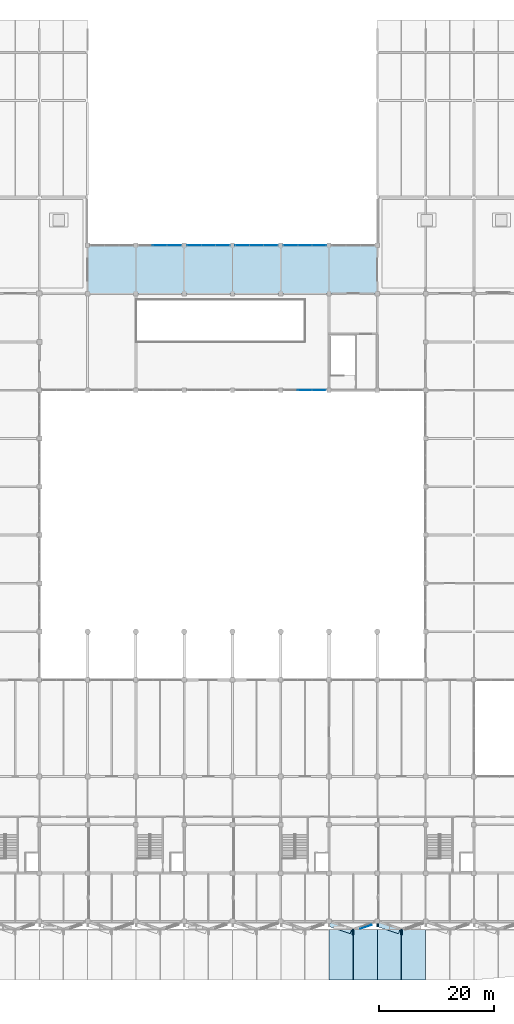
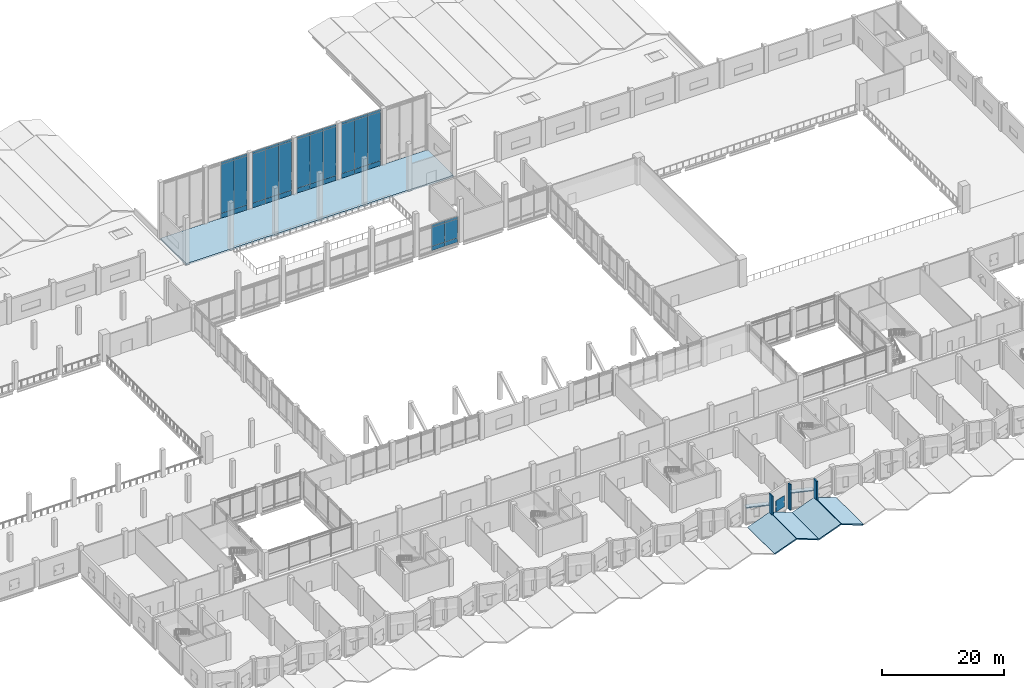
# One storey, part 40 of 72: 45 plates, 5 slabs, 5 elements without a shape of their own.
"""IFC4 building model written with IfcOpenShell, lengths in metres."""

from ifc_helpers import new_model, si_unit, direction, frame, frame_2d, origin, place, context, subcontext, project, spatial, polyline, rectangle, outline, extrude, material, layer, layer_set, type_object, element, aggregate, save


model = new_model("IFC4")

# Units and contexts
model_context = context("Model", 3, precision=1e-05, world=origin(), true_north=direction((0.0, 1.0)))
body_context = subcontext(model_context, "Body", "Model", "MODEL_VIEW")
ifc_project = project(units=[si_unit("LENGTHUNIT", "METRE"), si_unit("AREAUNIT", "SQUARE_METRE"), si_unit("VOLUMEUNIT", "CUBIC_METRE"), si_unit("PLANEANGLEUNIT", "RADIAN"), si_unit("MASSUNIT", "GRAM", prefix="KILO")], contexts=[model_context])

# Site, building, storey
site_placement = place(None, origin())
site = spatial("IfcSite", under=ifc_project, at=site_placement, CompositionType="ELEMENT")
building_placement = place(site_placement, origin())
building = spatial("IfcBuilding", under=site, at=building_placement, Name="Qawsi Khor Wholesale Market", CompositionType="ELEMENT")
storey_placement = place(building_placement, frame((0.0, 0.0, 6.0)))
storey = spatial("IfcBuildingStorey", under=building, at=storey_placement, Name="L01", CompositionType="ELEMENT", Elevation=6.0)

# Slabs
ifc_material_1 = material(Name="Concrete C40/50", Category="concrete")
ifc_layer_1 = layer(ifc_material_1, 0.22998046875, Name="Concrete C40/50")
ifc_layer_set_1 = layer_set([ifc_layer_1], Name="Concrete C40/50")
slab_type_1 = type_object("IfcSlabType", Name="Folded Concrete Canopy Slab 230 C40/50", PredefinedType="ROOF", material=ifc_layer_set_1)
slab_1_placement = place(storey_placement, frame((126.0, -10.199951171875, -0.14990234375), z_axis=(-0.353429429104, 0.0, 0.935461190346), x_axis=(0.935461190346, 0.0, 0.353429429104)))
element("IfcSlab", 1, at=slab_1_placement, inside=storey, type_object=slab_type_1, Name="Boulevard Origami Canopy Facet 15A", PredefinedType="ROOF", context=body_context, shape_type="SweptSolid", body=[
    extrude(outline(polyline([(0.0, 0.0), (4.441690729402894, 0.0), (4.441690729402894, 8.75), (0.0, 8.75), (0.0, 0.0)])), origin(), (0.0, 0.0, -1.0), 0.22998046875),
])
slab_2_placement = place(storey_placement, frame((130.2451171875, -10.199951171875, 1.419921875), z_axis=(0.353447602704, 0.0, 0.935454323921), x_axis=(0.935454323921, 0.0, -0.353447602704)))
element("IfcSlab", 2, at=slab_2_placement, inside=storey, type_object=slab_type_1, Name="Boulevard Origami Canopy Facet 15B", PredefinedType="ROOF", context=body_context, shape_type="SweptSolid", body=[
    extrude(outline(polyline([(0.0, 0.0), (4.441462346161384, 0.0), (4.441462346161384, 8.750000000000002), (0.0, 8.750000000000002), (0.0, 0.0)])), origin(), (0.0, 0.0, -1.0), 0.22998046875),
])
for number, where, z_axis, x_axis, name in (
    (3, (134.39990234375, -10.199951171875, -0.14990234375), (-0.353429429104, 0.0, 0.935461190346), (0.935461190346, 0.0, 0.353429429104), "Boulevard Origami Canopy Facet 16A"),
    (4, (138.64501953125, -10.199951171875, 1.419921875), (0.353429429104, 0.0, 0.935461190346), (0.935461190346, 0.0, -0.353429429104), "Boulevard Origami Canopy Facet 16B"),
):
    element("IfcSlab", number, at=place(storey_placement, frame(where, z_axis=z_axis, x_axis=x_axis)), inside=storey, type_object=slab_type_1, Name=name, PredefinedType="ROOF", context=body_context, shape_type="SweptSolid", body=[
        extrude(outline(polyline([(0.0, 0.0), (4.441690729402894, 0.0), (4.441690729402894, 8.75), (0.0, 8.75), (0.0, 0.0)])), origin(), (0.0, 0.0, -1.0), 0.22998046875),
    ])
ifc_layer_2 = layer(ifc_material_1, 0.330078125, Name="Concrete C40/50")
ifc_layer_set_2 = layer_set([ifc_layer_2], Name="Concrete C40/50")
slab_type_2 = type_object("IfcSlabType", Name="Heavy Lab & Auction Slab 330 C40/50", PredefinedType="FLOOR", material=ifc_layer_set_2)
slab_3_placement = place(storey_placement, frame((0.0, 0.0, -0.330078125)))
element("IfcSlab", 5, at=slab_3_placement, inside=storey, type_object=slab_type_2, Name="SLB-L01-AUC-N", PredefinedType="FLOOR", context=body_context, shape_type="SweptSolid", body=[
    extrude(outline(polyline([(84.0, 117.60009765625), (134.39990234375, 117.60009765625), (134.39990234375, 109.199951171875), (84.0, 109.199951171875), (84.0, 117.60009765625)])), origin(), (0.0, 0.0, 1.0), 0.330078125),
])

# Curtain wall, plates
ifc_material_2 = material(Name="Aluminium Anodised Bronze", Category="aluminium")
ifc_layer_3 = layer(ifc_material_2, 0.219970703125, Name="Aluminium Anodised Bronze")
ifc_layer_set_3 = layer_set([ifc_layer_3], Name="Aluminium Anodised Bronze")
curtain_wall_type = type_object("IfcCurtainWallType", Name="Auction Clerestory Curtain Wall CW-04", PredefinedType="NOTDEFINED", material=ifc_layer_set_3)
curtain_wall_1_placement = place(storey_placement, origin())
curtain_wall_1 = element("IfcCurtainWall", 6, at=curtain_wall_1_placement, inside=storey, type_object=curtain_wall_type, Name="Curtain wall CW-CW-04-L01-104", PredefinedType="NOTDEFINED")
ifc_material_3 = material(Name="Anodised Aluminium Spandrel", Category="aluminium")
ifc_layer_4 = layer(ifc_material_3, 0.0849609375, Name="Anodised Aluminium Spandrel")
ifc_layer_set_4 = layer_set([ifc_layer_4], Name="Anodised Aluminium Spandrel")
plate_type_1 = type_object("IfcPlateType", Name="Insulated Spandrel Panel CW-04 85mm", PredefinedType="CURTAIN_PANEL", material=ifc_layer_set_4)
plate_1_placement = place(storey_placement, frame((95.36669921875, 117.60009765625, 0.0048828125), z_axis=(0.0, 0.0, 1.0), x_axis=(1.0, 0.0, 0.0)))
plate_1 = element("IfcPlate", 7, at=plate_1_placement, type_object=plate_type_1, Name="Curtain panel CW-CW-04-L01-104-P0_01", PredefinedType="CURTAIN_PANEL", context=body_context, shape_type="SweptSolid", body=[
    extrude(rectangle(XDim=2.466552734375, YDim=0.0849609375, at=frame_2d((1.2333984375, 0.0))), origin(), (0.0, 0.0, 1.0), 0.940185546875),
])
plate_2_placement = place(storey_placement, frame((97.833251953125, 117.60009765625, 0.0048828125), z_axis=(0.0, 0.0, 1.0), x_axis=(1.0, 0.0, 0.0)))
plate_2 = element("IfcPlate", 8, at=plate_2_placement, type_object=plate_type_1, Name="Curtain panel CW-CW-04-L01-104-P0_02", PredefinedType="CURTAIN_PANEL", context=body_context, shape_type="SweptSolid", body=[
    extrude(rectangle(XDim=2.466796875, YDim=0.0849609375, at=frame_2d((1.2333984375, 0.0))), origin(), (0.0, 0.0, 1.0), 0.940185546875),
])

curtain_wall_2_placement = place(storey_placement, origin())
curtain_wall_2 = element("IfcCurtainWall", 9, at=curtain_wall_2_placement, inside=storey, type_object=curtain_wall_type, Name="Curtain wall CW-CW-04-L01-107", PredefinedType="NOTDEFINED")
plate_3_placement = place(storey_placement, frame((101.300048828125, 117.60009765625, 0.0048828125), z_axis=(0.0, 0.0, 1.0), x_axis=(1.0, 0.0, 0.0)))
plate_3 = element("IfcPlate", 10, at=plate_3_placement, type_object=plate_type_1, Name="Curtain panel CW-CW-04-L01-107-P0_00", PredefinedType="CURTAIN_PANEL", context=body_context, shape_type="SweptSolid", body=[
    extrude(rectangle(XDim=2.466552734375, YDim=0.0849609375, at=frame_2d((1.2333984375, 0.0))), origin(), (0.0, 0.0, 1.0), 0.940185546875),
])
plate_4_placement = place(storey_placement, frame((103.7666015625, 117.60009765625, 0.0048828125), z_axis=(0.0, 0.0, 1.0), x_axis=(1.0, 0.0, 0.0)))
plate_4 = element("IfcPlate", 11, at=plate_4_placement, type_object=plate_type_1, Name="Curtain panel CW-CW-04-L01-107-P0_01", PredefinedType="CURTAIN_PANEL", context=body_context, shape_type="SweptSolid", body=[
    extrude(rectangle(XDim=2.466796875, YDim=0.0849609375, at=frame_2d((1.2333984375, 0.0))), origin(), (0.0, 0.0, 1.0), 0.940185546875),
])
plate_5_placement = place(storey_placement, frame((106.2333984375, 117.60009765625, 0.0048828125), z_axis=(0.0, 0.0, 1.0), x_axis=(1.0, 0.0, 0.0)))
plate_5 = element("IfcPlate", 12, at=plate_5_placement, type_object=plate_type_1, Name="Curtain panel CW-CW-04-L01-107-P0_02", PredefinedType="CURTAIN_PANEL", context=body_context, shape_type="SweptSolid", body=[
    extrude(rectangle(XDim=2.466552734375, YDim=0.0849609375, at=frame_2d((1.2333984375, 0.0))), origin(), (0.0, 0.0, 1.0), 0.940185546875),
])

curtain_wall_3_placement = place(storey_placement, origin())
curtain_wall_3 = element("IfcCurtainWall", 13, at=curtain_wall_3_placement, inside=storey, type_object=curtain_wall_type, Name="Curtain wall CW-CW-04-L01-110", PredefinedType="NOTDEFINED")
plate_6_placement = place(storey_placement, frame((109.699951171875, 117.60009765625, 0.0048828125), z_axis=(0.0, 0.0, 1.0), x_axis=(1.0, 0.0, 0.0)))
plate_6 = element("IfcPlate", 14, at=plate_6_placement, type_object=plate_type_1, Name="Curtain panel CW-CW-04-L01-110-P0_00", PredefinedType="CURTAIN_PANEL", context=body_context, shape_type="SweptSolid", body=[
    extrude(rectangle(XDim=2.466796875, YDim=0.0849609375, at=frame_2d((1.2333984375, 0.0))), origin(), (0.0, 0.0, 1.0), 0.940185546875),
])
plate_7_placement = place(storey_placement, frame((112.166748046875, 117.60009765625, 0.0048828125), z_axis=(0.0, 0.0, 1.0), x_axis=(1.0, 0.0, 0.0)))
plate_7 = element("IfcPlate", 15, at=plate_7_placement, type_object=plate_type_1, Name="Curtain panel CW-CW-04-L01-110-P0_01", PredefinedType="CURTAIN_PANEL", context=body_context, shape_type="SweptSolid", body=[
    extrude(rectangle(XDim=2.466552734375, YDim=0.0849609375, at=frame_2d((1.2333984375, 0.0))), origin(), (0.0, 0.0, 1.0), 0.940185546875),
])
plate_8_placement = place(storey_placement, frame((114.63330078125, 117.60009765625, 0.0048828125), z_axis=(0.0, 0.0, 1.0), x_axis=(1.0, 0.0, 0.0)))
plate_8 = element("IfcPlate", 16, at=plate_8_placement, type_object=plate_type_1, Name="Curtain panel CW-CW-04-L01-110-P0_02", PredefinedType="CURTAIN_PANEL", context=body_context, shape_type="SweptSolid", body=[
    extrude(rectangle(XDim=2.466796875, YDim=0.0849609375, at=frame_2d((1.2333984375, 0.0))), origin(), (0.0, 0.0, 1.0), 0.940185546875),
])

curtain_wall_4_placement = place(storey_placement, origin())
curtain_wall_4 = element("IfcCurtainWall", 17, at=curtain_wall_4_placement, inside=storey, type_object=curtain_wall_type, Name="Curtain wall CW-CW-04-L01-112", PredefinedType="NOTDEFINED")
plate_9_placement = place(storey_placement, frame((120.583251953125, 92.39990234375, 0.0048828125), z_axis=(0.0, 0.0, 1.0), x_axis=(1.0, 0.0, 0.0)))
plate_9 = element("IfcPlate", 18, at=plate_9_placement, type_object=plate_type_1, Name="Curtain panel CW-CW-04-L01-112-P0_01", PredefinedType="CURTAIN_PANEL", context=body_context, shape_type="SweptSolid", body=[
    extrude(rectangle(XDim=2.433349609375, YDim=0.0849609375, at=frame_2d((1.216796875, 0.0))), origin(), (0.0, 0.0, 1.0), 0.840087890625),
])
plate_10_placement = place(storey_placement, frame((123.0166015625, 92.39990234375, 0.0048828125), z_axis=(0.0, 0.0, 1.0), x_axis=(1.0, 0.0, 0.0)))
plate_10 = element("IfcPlate", 19, at=plate_10_placement, type_object=plate_type_1, Name="Curtain panel CW-CW-04-L01-112-P0_02", PredefinedType="CURTAIN_PANEL", context=body_context, shape_type="SweptSolid", body=[
    extrude(rectangle(XDim=2.433349609375, YDim=0.0849609375, at=frame_2d((1.216796875, 0.0))), origin(), (0.0, 0.0, 1.0), 0.840087890625),
])

curtain_wall_5_placement = place(storey_placement, origin())
curtain_wall_5 = element("IfcCurtainWall", 20, at=curtain_wall_5_placement, inside=storey, type_object=curtain_wall_type, Name="Curtain wall CW-CW-04-L01-113", PredefinedType="NOTDEFINED")
plate_11_placement = place(storey_placement, frame((118.10009765625, 117.60009765625, 0.0048828125), z_axis=(0.0, 0.0, 1.0), x_axis=(1.0, 0.0, 0.0)))
plate_11 = element("IfcPlate", 21, at=plate_11_placement, type_object=plate_type_1, Name="Curtain panel CW-CW-04-L01-113-P0_00", PredefinedType="CURTAIN_PANEL", context=body_context, shape_type="SweptSolid", body=[
    extrude(rectangle(XDim=2.466552734375, YDim=0.0849609375, at=frame_2d((1.2333984375, 0.0))), origin(), (0.0, 0.0, 1.0), 0.940185546875),
])
plate_12_placement = place(storey_placement, frame((120.566650390625, 117.60009765625, 0.0048828125), z_axis=(0.0, 0.0, 1.0), x_axis=(1.0, 0.0, 0.0)))
plate_12 = element("IfcPlate", 22, at=plate_12_placement, type_object=plate_type_1, Name="Curtain panel CW-CW-04-L01-113-P0_01", PredefinedType="CURTAIN_PANEL", context=body_context, shape_type="SweptSolid", body=[
    extrude(rectangle(XDim=2.466552734375, YDim=0.0849609375, at=frame_2d((1.2333984375, 0.0))), origin(), (0.0, 0.0, 1.0), 0.940185546875),
])
plate_13_placement = place(storey_placement, frame((123.033203125, 117.60009765625, 0.0048828125), z_axis=(0.0, 0.0, 1.0), x_axis=(1.0, 0.0, 0.0)))
plate_13 = element("IfcPlate", 23, at=plate_13_placement, type_object=plate_type_1, Name="Curtain panel CW-CW-04-L01-113-P0_02", PredefinedType="CURTAIN_PANEL", context=body_context, shape_type="SweptSolid", body=[
    extrude(rectangle(XDim=2.466796875, YDim=0.0849609375, at=frame_2d((1.2333984375, 0.0))), origin(), (0.0, 0.0, 1.0), 0.940185546875),
])

# Plates
ifc_material_4 = material(Name="Perforated Bronze-Anodised Aluminium", Category="aluminium")
ifc_layer_5 = layer(ifc_material_4, 0.014892578125, Name="Perforated Bronze-Anodised Aluminium")
ifc_layer_set_5 = layer_set([ifc_layer_5], Name="Perforated Bronze-Anodised Aluminium")
plate_type_2 = type_object("IfcPlateType", Name="Perforated Bronze Mashrabiya Screen 15mm", PredefinedType="SHEET", material=ifc_layer_set_5)
plate_14_placement = place(storey_placement, frame((133.38671875, -0.63818359375, 0.85009765625), z_axis=(0.0, 0.0, 1.0), x_axis=(-0.948683298051, -0.316227766017, 0.0)))
element("IfcPlate", 24, at=plate_14_placement, inside=storey, type_object=plate_type_2, Name="Solar mashrabiya screen 013", PredefinedType="SHEET", context=body_context, shape_type="SweptSolid", body=[
    extrude(rectangle(XDim=2.099853515625, YDim=0.014892578125, at=frame_2d((1.0498046875, 0.0))), origin(), (0.0, 0.0, 1.0), 2.25),
])
ifc_layer_6 = layer(ifc_material_1, 0.260009765625, Name="Concrete C40/50")
ifc_layer_set_6 = layer_set([ifc_layer_6], Name="Concrete C40/50")
plate_type_3 = type_object("IfcPlateType", Name="Sculpted Concrete Solar Buttress Fin 260", PredefinedType="SHEET", material=ifc_layer_set_6)
plate_15_placement = place(storey_placement, frame((130.199951171875, -2.35009765625, 0.0), z_axis=(0.0, 0.0, 1.0), x_axis=(0.0, 1.0, 0.0)))
element("IfcPlate", 25, at=plate_15_placement, inside=storey, type_object=plate_type_3, Name="Boulevard concrete solar buttress fin L01-25", PredefinedType="SHEET", context=body_context, shape_type="SweptSolid", body=[
    extrude(rectangle(XDim=1.0, YDim=0.260009765625, at=frame_2d((0.5, 0.0))), origin(), (0.0, 0.0, 1.0), 5.1201171875),
])
plate_16_placement = place(storey_placement, frame((134.39990234375, -0.949951171875, 0.0), z_axis=(0.0, 0.0, 1.0), x_axis=(0.0, 1.0, 0.0)))
element("IfcPlate", 26, at=plate_16_placement, inside=storey, type_object=plate_type_3, Name="Boulevard concrete solar buttress fin L01-26", PredefinedType="SHEET", context=body_context, shape_type="SweptSolid", body=[
    extrude(rectangle(XDim=0.570068359375, YDim=0.260009765625, at=frame_2d((0.28515625, 0.0))), origin(), (0.0, 0.0, 1.0), 5.1201171875),
])
plate_17_placement = place(storey_placement, frame((138.60009765625, -2.35009765625, 0.0), z_axis=(0.0, 0.0, 1.0), x_axis=(0.0, 1.0, 0.0)))
element("IfcPlate", 27, at=plate_17_placement, inside=storey, type_object=plate_type_3, Name="Boulevard concrete solar buttress fin L01-27", PredefinedType="SHEET", context=body_context, shape_type="SweptSolid", body=[
    extrude(rectangle(XDim=1.0, YDim=0.260009765625, at=frame_2d((0.5, 0.0))), origin(), (0.0, 0.0, 1.0), 5.1201171875),
])
ifc_layer_7 = layer(ifc_material_1, 0.949951171875, Name="Concrete C40/50")
ifc_layer_set_7 = layer_set([ifc_layer_7], Name="Concrete C40/50")
plate_type_4 = type_object("IfcPlateType", Name="Sculpted Concrete Sun-Hood Canopy 950", PredefinedType="SHEET", material=ifc_layer_set_7)
for number, where, z_axis, x_axis, name in (
    (28, (126.110595703125, -0.45849609375, 3.25), (0.0, 0.0, 1.0), (0.94867708111, -0.316246416226, 0.0), "Sculpted concrete sun-hood L01-25"),
    (29, (134.5107421875, -0.45849609375, 3.25), (0.0, 0.0, 1.0), (0.94867708111, -0.316246416226, 0.0), "Sculpted concrete sun-hood L01-27"),
):
    element("IfcPlate", number, at=place(storey_placement, frame(where, z_axis=z_axis, x_axis=x_axis)), inside=storey, type_object=plate_type_4, Name=name, PredefinedType="SHEET", context=body_context, shape_type="SweptSolid", body=[
        extrude(rectangle(XDim=3.92724609375, YDim=0.949951171875, at=frame_2d((1.963623046875, 0.0))), origin(), (0.0, 0.0, 1.0), 0.18994140625),
    ])

# Plate
ifc_material_5 = material(Name="Tempered Low-E Solar Glass", Category="glass")
ifc_layer_8 = layer(ifc_material_5, 0.050048828125, Name="Tempered Low-E Solar Glass")
ifc_layer_set_8 = layer_set([ifc_layer_8], Name="Tempered Low-E Solar Glass")
plate_type_5 = type_object("IfcPlateType", Name="Solar Double-Glazed Unit CW-04 50mm", PredefinedType="CURTAIN_PANEL", material=ifc_layer_set_8)
plate_18_placement = place(storey_placement, frame((95.36669921875, 117.60009765625, 0.955078125), z_axis=(0.0, 0.0, 1.0), x_axis=(1.0, 0.0, 0.0)))
plate_18 = element("IfcPlate", 30, at=plate_18_placement, type_object=plate_type_5, Name="Curtain panel CW-CW-04-L01-104-P1_01", PredefinedType="CURTAIN_PANEL", context=body_context, shape_type="SweptSolid", body=[
    extrude(rectangle(XDim=2.466552734375, YDim=0.050048828125, at=frame_2d((1.2333984375, 0.0))), origin(), (0.0, 0.0, 1.0), 9.7900390625),
])

plate_19_placement = place(storey_placement, frame((97.833251953125, 117.60009765625, 0.955078125), z_axis=(0.0, 0.0, 1.0), x_axis=(1.0, 0.0, 0.0)))
plate_19 = element("IfcPlate", 31, at=plate_19_placement, type_object=plate_type_5, Name="Curtain panel CW-CW-04-L01-104-P1_02", PredefinedType="CURTAIN_PANEL", context=body_context, shape_type="SweptSolid", body=[
    extrude(rectangle(XDim=2.466796875, YDim=0.050048828125, at=frame_2d((1.2333984375, 0.0))), origin(), (0.0, 0.0, 1.0), 9.7900390625),
])

plate_20_placement = place(storey_placement, frame((95.36669921875, 117.60009765625, 10.7548828125), z_axis=(0.0, 0.0, 1.0), x_axis=(1.0, 0.0, 0.0)))
plate_20 = element("IfcPlate", 32, at=plate_20_placement, type_object=plate_type_5, Name="Curtain panel CW-CW-04-L01-104-P2_01", PredefinedType="CURTAIN_PANEL", context=body_context, shape_type="SweptSolid", body=[
    extrude(rectangle(XDim=2.466552734375, YDim=0.050048828125, at=frame_2d((1.2333984375, 0.0))), origin(), (0.0, 0.0, 1.0), 0.440185546875),
])

plate_21_placement = place(storey_placement, frame((97.833251953125, 117.60009765625, 10.7548828125), z_axis=(0.0, 0.0, 1.0), x_axis=(1.0, 0.0, 0.0)))
plate_21 = element("IfcPlate", 33, at=plate_21_placement, type_object=plate_type_5, Name="Curtain panel CW-CW-04-L01-104-P2_02", PredefinedType="CURTAIN_PANEL", context=body_context, shape_type="SweptSolid", body=[
    extrude(rectangle(XDim=2.466796875, YDim=0.050048828125, at=frame_2d((1.2333984375, 0.0))), origin(), (0.0, 0.0, 1.0), 0.440185546875),
])

aggregate(curtain_wall_1, [plate_1, plate_2, plate_18, plate_19, plate_20, plate_21])

plate_22_placement = place(storey_placement, frame((101.300048828125, 117.60009765625, 0.955078125), z_axis=(0.0, 0.0, 1.0), x_axis=(1.0, 0.0, 0.0)))
plate_22 = element("IfcPlate", 34, at=plate_22_placement, type_object=plate_type_5, Name="Curtain panel CW-CW-04-L01-107-P1_00", PredefinedType="CURTAIN_PANEL", context=body_context, shape_type="SweptSolid", body=[
    extrude(rectangle(XDim=2.466552734375, YDim=0.050048828125, at=frame_2d((1.2333984375, 0.0))), origin(), (0.0, 0.0, 1.0), 9.7900390625),
])

plate_23_placement = place(storey_placement, frame((103.7666015625, 117.60009765625, 0.955078125), z_axis=(0.0, 0.0, 1.0), x_axis=(1.0, 0.0, 0.0)))
plate_23 = element("IfcPlate", 35, at=plate_23_placement, type_object=plate_type_5, Name="Curtain panel CW-CW-04-L01-107-P1_01", PredefinedType="CURTAIN_PANEL", context=body_context, shape_type="SweptSolid", body=[
    extrude(rectangle(XDim=2.466796875, YDim=0.050048828125, at=frame_2d((1.2333984375, 0.0))), origin(), (0.0, 0.0, 1.0), 9.7900390625),
])

plate_24_placement = place(storey_placement, frame((106.2333984375, 117.60009765625, 0.955078125), z_axis=(0.0, 0.0, 1.0), x_axis=(1.0, 0.0, 0.0)))
plate_24 = element("IfcPlate", 36, at=plate_24_placement, type_object=plate_type_5, Name="Curtain panel CW-CW-04-L01-107-P1_02", PredefinedType="CURTAIN_PANEL", context=body_context, shape_type="SweptSolid", body=[
    extrude(rectangle(XDim=2.466552734375, YDim=0.050048828125, at=frame_2d((1.2333984375, 0.0))), origin(), (0.0, 0.0, 1.0), 9.7900390625),
])

plate_25_placement = place(storey_placement, frame((101.300048828125, 117.60009765625, 10.7548828125), z_axis=(0.0, 0.0, 1.0), x_axis=(1.0, 0.0, 0.0)))
plate_25 = element("IfcPlate", 37, at=plate_25_placement, type_object=plate_type_5, Name="Curtain panel CW-CW-04-L01-107-P2_00", PredefinedType="CURTAIN_PANEL", context=body_context, shape_type="SweptSolid", body=[
    extrude(rectangle(XDim=2.466552734375, YDim=0.050048828125, at=frame_2d((1.2333984375, 0.0))), origin(), (0.0, 0.0, 1.0), 0.440185546875),
])

plate_26_placement = place(storey_placement, frame((103.7666015625, 117.60009765625, 10.7548828125), z_axis=(0.0, 0.0, 1.0), x_axis=(1.0, 0.0, 0.0)))
plate_26 = element("IfcPlate", 38, at=plate_26_placement, type_object=plate_type_5, Name="Curtain panel CW-CW-04-L01-107-P2_01", PredefinedType="CURTAIN_PANEL", context=body_context, shape_type="SweptSolid", body=[
    extrude(rectangle(XDim=2.466796875, YDim=0.050048828125, at=frame_2d((1.2333984375, 0.0))), origin(), (0.0, 0.0, 1.0), 0.440185546875),
])

plate_27_placement = place(storey_placement, frame((106.2333984375, 117.60009765625, 10.7548828125), z_axis=(0.0, 0.0, 1.0), x_axis=(1.0, 0.0, 0.0)))
plate_27 = element("IfcPlate", 39, at=plate_27_placement, type_object=plate_type_5, Name="Curtain panel CW-CW-04-L01-107-P2_02", PredefinedType="CURTAIN_PANEL", context=body_context, shape_type="SweptSolid", body=[
    extrude(rectangle(XDim=2.466552734375, YDim=0.050048828125, at=frame_2d((1.2333984375, 0.0))), origin(), (0.0, 0.0, 1.0), 0.440185546875),
])

aggregate(curtain_wall_2, [plate_3, plate_4, plate_5, plate_22, plate_23, plate_24, plate_25, plate_26, plate_27])

plate_28_placement = place(storey_placement, frame((109.699951171875, 117.60009765625, 0.955078125), z_axis=(0.0, 0.0, 1.0), x_axis=(1.0, 0.0, 0.0)))
plate_28 = element("IfcPlate", 40, at=plate_28_placement, type_object=plate_type_5, Name="Curtain panel CW-CW-04-L01-110-P1_00", PredefinedType="CURTAIN_PANEL", context=body_context, shape_type="SweptSolid", body=[
    extrude(rectangle(XDim=2.466796875, YDim=0.050048828125, at=frame_2d((1.2333984375, 0.0))), origin(), (0.0, 0.0, 1.0), 9.7900390625),
])

plate_29_placement = place(storey_placement, frame((112.166748046875, 117.60009765625, 0.955078125), z_axis=(0.0, 0.0, 1.0), x_axis=(1.0, 0.0, 0.0)))
plate_29 = element("IfcPlate", 41, at=plate_29_placement, type_object=plate_type_5, Name="Curtain panel CW-CW-04-L01-110-P1_01", PredefinedType="CURTAIN_PANEL", context=body_context, shape_type="SweptSolid", body=[
    extrude(rectangle(XDim=2.466552734375, YDim=0.050048828125, at=frame_2d((1.2333984375, 0.0))), origin(), (0.0, 0.0, 1.0), 9.7900390625),
])

plate_30_placement = place(storey_placement, frame((114.63330078125, 117.60009765625, 0.955078125), z_axis=(0.0, 0.0, 1.0), x_axis=(1.0, 0.0, 0.0)))
plate_30 = element("IfcPlate", 42, at=plate_30_placement, type_object=plate_type_5, Name="Curtain panel CW-CW-04-L01-110-P1_02", PredefinedType="CURTAIN_PANEL", context=body_context, shape_type="SweptSolid", body=[
    extrude(rectangle(XDim=2.466796875, YDim=0.050048828125, at=frame_2d((1.2333984375, 0.0))), origin(), (0.0, 0.0, 1.0), 9.7900390625),
])

plate_31_placement = place(storey_placement, frame((109.699951171875, 117.60009765625, 10.7548828125), z_axis=(0.0, 0.0, 1.0), x_axis=(1.0, 0.0, 0.0)))
plate_31 = element("IfcPlate", 43, at=plate_31_placement, type_object=plate_type_5, Name="Curtain panel CW-CW-04-L01-110-P2_00", PredefinedType="CURTAIN_PANEL", context=body_context, shape_type="SweptSolid", body=[
    extrude(rectangle(XDim=2.466796875, YDim=0.050048828125, at=frame_2d((1.2333984375, 0.0))), origin(), (0.0, 0.0, 1.0), 0.440185546875),
])

plate_32_placement = place(storey_placement, frame((112.166748046875, 117.60009765625, 10.7548828125), z_axis=(0.0, 0.0, 1.0), x_axis=(1.0, 0.0, 0.0)))
plate_32 = element("IfcPlate", 44, at=plate_32_placement, type_object=plate_type_5, Name="Curtain panel CW-CW-04-L01-110-P2_01", PredefinedType="CURTAIN_PANEL", context=body_context, shape_type="SweptSolid", body=[
    extrude(rectangle(XDim=2.466552734375, YDim=0.050048828125, at=frame_2d((1.2333984375, 0.0))), origin(), (0.0, 0.0, 1.0), 0.440185546875),
])

plate_33_placement = place(storey_placement, frame((114.63330078125, 117.60009765625, 10.7548828125), z_axis=(0.0, 0.0, 1.0), x_axis=(1.0, 0.0, 0.0)))
plate_33 = element("IfcPlate", 45, at=plate_33_placement, type_object=plate_type_5, Name="Curtain panel CW-CW-04-L01-110-P2_02", PredefinedType="CURTAIN_PANEL", context=body_context, shape_type="SweptSolid", body=[
    extrude(rectangle(XDim=2.466796875, YDim=0.050048828125, at=frame_2d((1.2333984375, 0.0))), origin(), (0.0, 0.0, 1.0), 0.440185546875),
])

aggregate(curtain_wall_3, [plate_6, plate_7, plate_8, plate_28, plate_29, plate_30, plate_31, plate_32, plate_33])

plate_34_placement = place(storey_placement, frame((120.583251953125, 92.39990234375, 0.85498046875), z_axis=(0.0, 0.0, 1.0), x_axis=(1.0, 0.0, 0.0)))
plate_34 = element("IfcPlate", 46, at=plate_34_placement, type_object=plate_type_5, Name="Curtain panel CW-CW-04-L01-112-P1_01", PredefinedType="CURTAIN_PANEL", context=body_context, shape_type="SweptSolid", body=[
    extrude(rectangle(XDim=2.433349609375, YDim=0.050048828125, at=frame_2d((1.216796875, 0.0))), origin(), (0.0, 0.0, 1.0), 3.81005859375),
])

plate_35_placement = place(storey_placement, frame((123.0166015625, 92.39990234375, 0.85498046875), z_axis=(0.0, 0.0, 1.0), x_axis=(1.0, 0.0, 0.0)))
plate_35 = element("IfcPlate", 47, at=plate_35_placement, type_object=plate_type_5, Name="Curtain panel CW-CW-04-L01-112-P1_02", PredefinedType="CURTAIN_PANEL", context=body_context, shape_type="SweptSolid", body=[
    extrude(rectangle(XDim=2.433349609375, YDim=0.050048828125, at=frame_2d((1.216796875, 0.0))), origin(), (0.0, 0.0, 1.0), 3.81005859375),
])

plate_36_placement = place(storey_placement, frame((120.583251953125, 92.39990234375, 4.675048828125), z_axis=(0.0, 0.0, 1.0), x_axis=(1.0, 0.0, 0.0)))
plate_36 = element("IfcPlate", 48, at=plate_36_placement, type_object=plate_type_5, Name="Curtain panel CW-CW-04-L01-112-P2_01", PredefinedType="CURTAIN_PANEL", context=body_context, shape_type="SweptSolid", body=[
    extrude(rectangle(XDim=2.433349609375, YDim=0.050048828125, at=frame_2d((1.216796875, 0.0))), origin(), (0.0, 0.0, 1.0), 0.43994140625),
])

plate_37_placement = place(storey_placement, frame((123.0166015625, 92.39990234375, 4.675048828125), z_axis=(0.0, 0.0, 1.0), x_axis=(1.0, 0.0, 0.0)))
plate_37 = element("IfcPlate", 49, at=plate_37_placement, type_object=plate_type_5, Name="Curtain panel CW-CW-04-L01-112-P2_02", PredefinedType="CURTAIN_PANEL", context=body_context, shape_type="SweptSolid", body=[
    extrude(rectangle(XDim=2.433349609375, YDim=0.050048828125, at=frame_2d((1.216796875, 0.0))), origin(), (0.0, 0.0, 1.0), 0.43994140625),
])

aggregate(curtain_wall_4, [plate_9, plate_10, plate_34, plate_35, plate_36, plate_37])

plate_38_placement = place(storey_placement, frame((118.10009765625, 117.60009765625, 0.955078125), z_axis=(0.0, 0.0, 1.0), x_axis=(1.0, 0.0, 0.0)))
plate_38 = element("IfcPlate", 50, at=plate_38_placement, type_object=plate_type_5, Name="Curtain panel CW-CW-04-L01-113-P1_00", PredefinedType="CURTAIN_PANEL", context=body_context, shape_type="SweptSolid", body=[
    extrude(rectangle(XDim=2.466552734375, YDim=0.050048828125, at=frame_2d((1.2333984375, 0.0))), origin(), (0.0, 0.0, 1.0), 9.7900390625),
])

plate_39_placement = place(storey_placement, frame((120.566650390625, 117.60009765625, 0.955078125), z_axis=(0.0, 0.0, 1.0), x_axis=(1.0, 0.0, 0.0)))
plate_39 = element("IfcPlate", 51, at=plate_39_placement, type_object=plate_type_5, Name="Curtain panel CW-CW-04-L01-113-P1_01", PredefinedType="CURTAIN_PANEL", context=body_context, shape_type="SweptSolid", body=[
    extrude(rectangle(XDim=2.466552734375, YDim=0.050048828125, at=frame_2d((1.2333984375, 0.0))), origin(), (0.0, 0.0, 1.0), 9.7900390625),
])

plate_40_placement = place(storey_placement, frame((123.033203125, 117.60009765625, 0.955078125), z_axis=(0.0, 0.0, 1.0), x_axis=(1.0, 0.0, 0.0)))
plate_40 = element("IfcPlate", 52, at=plate_40_placement, type_object=plate_type_5, Name="Curtain panel CW-CW-04-L01-113-P1_02", PredefinedType="CURTAIN_PANEL", context=body_context, shape_type="SweptSolid", body=[
    extrude(rectangle(XDim=2.466796875, YDim=0.050048828125, at=frame_2d((1.2333984375, 0.0))), origin(), (0.0, 0.0, 1.0), 9.7900390625),
])

plate_41_placement = place(storey_placement, frame((118.10009765625, 117.60009765625, 10.7548828125), z_axis=(0.0, 0.0, 1.0), x_axis=(1.0, 0.0, 0.0)))
plate_41 = element("IfcPlate", 53, at=plate_41_placement, type_object=plate_type_5, Name="Curtain panel CW-CW-04-L01-113-P2_00", PredefinedType="CURTAIN_PANEL", context=body_context, shape_type="SweptSolid", body=[
    extrude(rectangle(XDim=2.466552734375, YDim=0.050048828125, at=frame_2d((1.2333984375, 0.0))), origin(), (0.0, 0.0, 1.0), 0.440185546875),
])

plate_42_placement = place(storey_placement, frame((120.566650390625, 117.60009765625, 10.7548828125), z_axis=(0.0, 0.0, 1.0), x_axis=(1.0, 0.0, 0.0)))
plate_42 = element("IfcPlate", 54, at=plate_42_placement, type_object=plate_type_5, Name="Curtain panel CW-CW-04-L01-113-P2_01", PredefinedType="CURTAIN_PANEL", context=body_context, shape_type="SweptSolid", body=[
    extrude(rectangle(XDim=2.466552734375, YDim=0.050048828125, at=frame_2d((1.2333984375, 0.0))), origin(), (0.0, 0.0, 1.0), 0.440185546875),
])

plate_43_placement = place(storey_placement, frame((123.033203125, 117.60009765625, 10.7548828125), z_axis=(0.0, 0.0, 1.0), x_axis=(1.0, 0.0, 0.0)))
plate_43 = element("IfcPlate", 55, at=plate_43_placement, type_object=plate_type_5, Name="Curtain panel CW-CW-04-L01-113-P2_02", PredefinedType="CURTAIN_PANEL", context=body_context, shape_type="SweptSolid", body=[
    extrude(rectangle(XDim=2.466796875, YDim=0.050048828125, at=frame_2d((1.2333984375, 0.0))), origin(), (0.0, 0.0, 1.0), 0.440185546875),
])

aggregate(curtain_wall_5, [plate_11, plate_12, plate_13, plate_38, plate_39, plate_40, plate_41, plate_42, plate_43])

save(model, "model.ifc")
